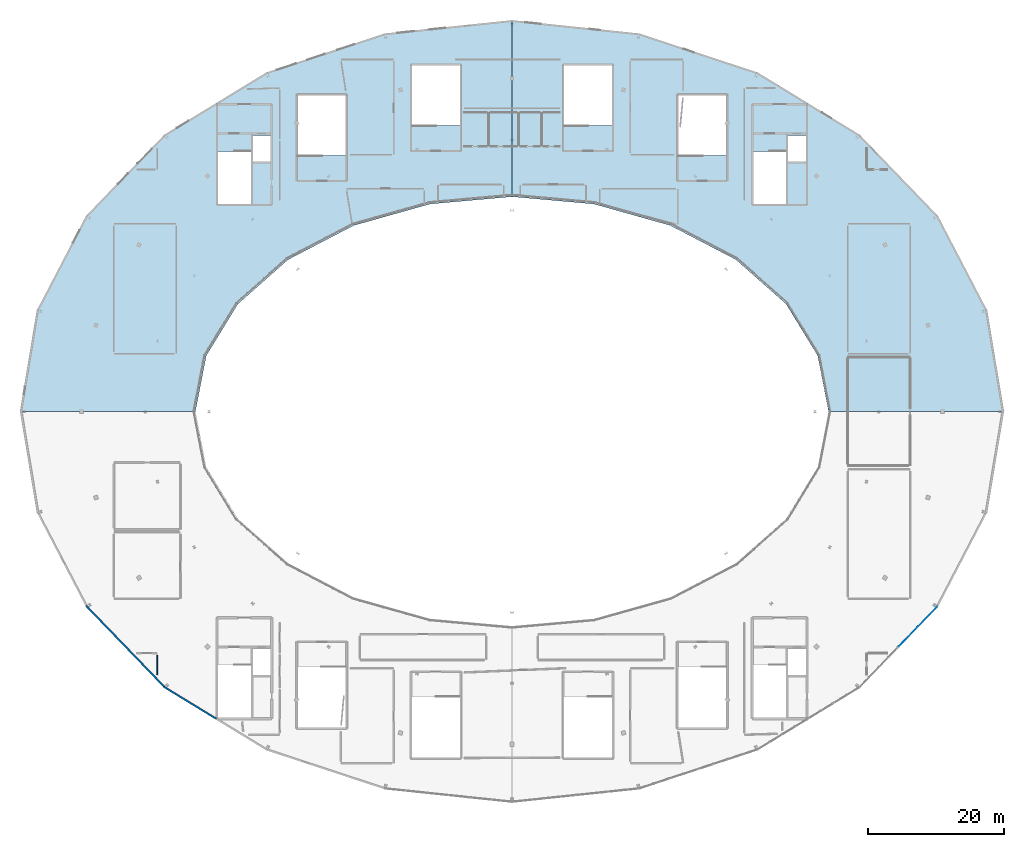
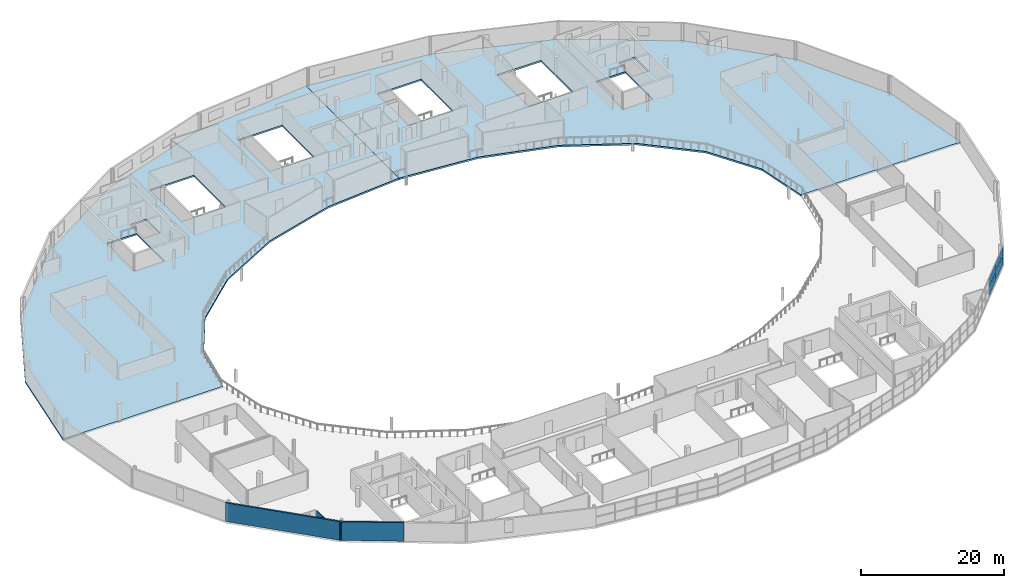
# One storey, part 24 of 35: 4 plates, 3 walls, 2 slabs, 2 elements without a shape of their own.
"""IFC4 building model written with IfcOpenShell, lengths in metres."""

import ifcopenshell
import ifcopenshell.guid

model = None  # the IFC model being written
_history = None  # IfcOwnerHistory: only IFC2X3 demands one
_inside = {}  # id of a spatial element -> (the spatial element, [elements in it])
_under = {}  # id of a project, library or spatial element -> (it, [spatial elements below it])
_declared = {}  # id of a project -> (the project, [libraries it declares])
_typed = {}  # id of a type object -> (the type object, [elements of that type])
_made_of = {}  # id of a material, layer set ... -> (it, [elements and type objects made of it])


def new_model(schema):
    """Start an empty IFC model of exactly this schema.

    Asked for "IFC4X3", IfcOpenShell would pick the latest addendum, in which some entities
    have other attributes; the version numbers below select the first issue.
    IFC2X3 requires an IfcOwnerHistory on every rooted entity: one is made here for all.
    """
    global model, _history
    if schema == "IFC4X3":
        model = ifcopenshell.file(schema_version=(4, 3, 0, 0))
    else:
        model = ifcopenshell.file(schema=schema)
    _inside.clear()
    _under.clear()
    _declared.clear()
    _typed.clear()
    _made_of.clear()
    _history = None
    if model.schema == "IFC2X3":
        org = make("IfcOrganization", Name="unknown")
        user = make(
            "IfcPersonAndOrganization",
            ThePerson=make("IfcPerson", FamilyName="unknown"),
            TheOrganization=org,
        )
        app = make(
            "IfcApplication",
            ApplicationDeveloper=org,
            Version="unknown",
            ApplicationFullName="unknown",
            ApplicationIdentifier="unknown",
        )
        _history = make(
            "IfcOwnerHistory",
            OwningUser=user,
            OwningApplication=app,
            ChangeAction="ADDED",
            CreationDate=0,
        )
    return model


def make(cls, **values):
    """One entity of the class cls with the attributes given. An attribute that is None is left unset."""
    return model.create_entity(
        cls, **{name: value for name, value in values.items() if value is not None}
    )


def rooted(cls, **values):
    """An entity with a GlobalId (a new one), such as an element, a storey or a relation."""
    return make(cls, GlobalId=ifcopenshell.guid.new(), OwnerHistory=_history, **values)


def si_unit(unit_type, name, prefix=None):
    """IfcSIUnit, for example si_unit("LENGTHUNIT", "METRE", prefix="MILLI")."""
    return make("IfcSIUnit", UnitType=unit_type, Prefix=prefix, Name=name)


def assignment(units):
    """IfcUnitAssignment: the units of a project."""
    return None if units is None else make("IfcUnitAssignment", Units=units)


def point(xyz):
    """IfcCartesianPoint."""
    return None if xyz is None else make("IfcCartesianPoint", Coordinates=xyz)


def direction(xyz):
    """IfcDirection."""
    return None if xyz is None else make("IfcDirection", DirectionRatios=xyz)


def frame(location, z_axis=None, x_axis=None):
    """IfcAxis2Placement3D, a coordinate frame: its origin and axes. An axis left out is left unset."""
    return make(
        "IfcAxis2Placement3D",
        Location=point(location),
        Axis=direction(z_axis),
        RefDirection=direction(x_axis),
    )


def frame_2d(location, x_axis=None):
    """IfcAxis2Placement2D, a coordinate frame in the plane: its origin and x axis."""
    return make(
        "IfcAxis2Placement2D", Location=point(location), RefDirection=direction(x_axis)
    )


def origin():
    """The frame at (0, 0, 0) with its axes left unset."""
    return frame((0.0, 0.0, 0.0))


def origin_2d():
    """The frame at (0, 0) in the plane with its x axis left unset."""
    return frame_2d((0.0, 0.0))


def place(relative_to, where):
    """IfcLocalPlacement: puts the frame where relative to a parent placement (None: the world)."""
    return make(
        "IfcLocalPlacement", PlacementRelTo=relative_to, RelativePlacement=where
    )


def context(
    kind, dimensions, precision=None, world=None, true_north=None, identifier=None
):
    """IfcGeometricRepresentationContext, for example the 3D "Model" context."""
    return make(
        "IfcGeometricRepresentationContext",
        ContextIdentifier=identifier,
        ContextType=kind,
        CoordinateSpaceDimension=dimensions,
        Precision=precision,
        WorldCoordinateSystem=world,
        TrueNorth=true_north,
    )


def subcontext(parent, identifier, kind, view, scale=None):
    """IfcGeometricRepresentationSubContext, for example "Body" below "Model"."""
    return make(
        "IfcGeometricRepresentationSubContext",
        ContextIdentifier=identifier,
        ContextType=kind,
        ParentContext=parent,
        TargetScale=scale,
        TargetView=view,
    )


def project(units=None, contexts=None):
    """IfcProject with its units and contexts."""
    return rooted(
        "IfcProject",
        Name="project",
        RepresentationContexts=contexts,
        UnitsInContext=assignment(units),
    )


def spatial(cls, under=None, at=None, **own):
    """A site, building, storey or space (cls), placed at a placement, below another one or the project."""
    s = rooted(cls, ObjectPlacement=at, **own)
    if under is not None:
        _under.setdefault(under.id(), (under, []))[1].append(s)
    return s


def polyline(points):
    """IfcPolyline through the points."""
    return make("IfcPolyline", Points=[point(p) for p in points])


def profile(cls, at=None, kind="AREA", **sizes):
    """A parametric profile (cls). Its sizes go by their IFC names, for example OverallWidth=200.0."""
    return make(cls, ProfileType=kind, Position=at, **sizes)


def rectangle(**sizes):
    """IfcRectangleProfileDef."""
    return profile("IfcRectangleProfileDef", **sizes)


def outline(outer, holes=None, kind="AREA"):
    """IfcArbitraryClosedProfileDef: a profile drawn as a closed curve; with holes, ...WithVoids."""
    if holes is None:
        return make("IfcArbitraryClosedProfileDef", ProfileType=kind, OuterCurve=outer)
    return make(
        "IfcArbitraryProfileDefWithVoids",
        ProfileType=kind,
        OuterCurve=outer,
        InnerCurves=holes,
    )


def extrude(swept, where, along, depth):
    """IfcExtrudedAreaSolid: the profile swept, set in the frame where, extruded along a direction by depth."""
    return make(
        "IfcExtrudedAreaSolid",
        SweptArea=swept,
        Position=where,
        ExtrudedDirection=direction(along),
        Depth=depth,
    )


def shape(context_of_items, identifier, shape_type, items):
    """IfcShapeRepresentation: the items that make up one representation, for example the "Body"."""
    return make(
        "IfcShapeRepresentation",
        ContextOfItems=context_of_items,
        RepresentationIdentifier=identifier,
        RepresentationType=shape_type,
        Items=items,
    )


def material(Name=None, Category=None):
    """IfcMaterial."""
    return make("IfcMaterial", Name=Name, Category=Category)


def layer(
    of_material, thickness, ventilated=None, Name=None, Category=None, Priority=None
):
    """IfcMaterialLayer: one layer of a wall or slab, of a material (None: an air gap)."""
    return make(
        "IfcMaterialLayer",
        Material=of_material,
        LayerThickness=thickness,
        IsVentilated=ventilated,
        Name=Name,
        Category=Category,
        Priority=Priority,
    )


def layer_set(layers, Name=None):
    """IfcMaterialLayerSet."""
    return make("IfcMaterialLayerSet", MaterialLayers=layers, LayerSetName=Name)


def made_of(thing, what):
    """Note that an element or type object is made of a material, layer set ...; save() writes the relation."""
    if what is not None:
        _made_of.setdefault(what.id(), (what, []))[1].append(thing)
    return thing


def type_object(cls, material=None, **own):
    """A type object (cls), such as IfcWallType, which elements share."""
    return made_of(rooted(cls, **own), material)


def element(
    cls,
    number,
    at=None,
    inside=None,
    cuts=None,
    type_object=None,
    material=None,
    context=None,
    identifier="Body",
    shape_type=None,
    held_by="IfcProductDefinitionShape",
    body=None,
    shapes=None,
    **own,
):
    """One element of the class cls, such as IfcWall. Its Tag is "e" and its number.

    at: its placement. inside: the storey or other place that contains it. cuts: it is an
    opening in that element (IfcRelVoidsElement). A single representation is given by context,
    identifier, shape_type and body (its items); several are given by shapes. held_by: the class
    of the entity that holds the representations. save() writes the other relations.
    """
    e = rooted(cls, Tag="e%d" % number, ObjectPlacement=at, **own)
    if body is not None:
        shapes = [shape(context, identifier, shape_type, body)]
    if shapes is not None:
        e.Representation = make(held_by, Representations=shapes)
    if inside is not None:
        _inside.setdefault(inside.id(), (inside, []))[1].append(e)
    if cuts is not None:
        rooted(
            "IfcRelVoidsElement", RelatingBuildingElement=cuts, RelatedOpeningElement=e
        )
    if type_object is not None:
        _typed.setdefault(type_object.id(), (type_object, []))[1].append(e)
    return made_of(e, material)


def aggregate(whole, parts):
    """IfcRelAggregates: a whole, such as a stair, and the parts it consists of."""
    return rooted("IfcRelAggregates", RelatingObject=whole, RelatedObjects=parts)


def save(model, path):
    """Write the relations noted so far, then the file.

    IfcRelAggregates (storeys below a building ...), IfcRelContainedInSpatialStructure (elements
    in a storey), IfcRelDefinesByType, IfcRelAssociatesMaterial and IfcRelDeclares: one each for
    every whole, place, type object, material and project.
    """
    for whole, parts in _under.values():
        aggregate(whole, parts)
    for where, things in _inside.values():
        rooted(
            "IfcRelContainedInSpatialStructure",
            RelatedElements=things,
            RelatingStructure=where,
        )
    for kind, things in _typed.values():
        rooted("IfcRelDefinesByType", RelatedObjects=things, RelatingType=kind)
    for what, things in _made_of.values():
        rooted("IfcRelAssociatesMaterial", RelatedObjects=things, RelatingMaterial=what)
    for by, libraries in _declared.values():
        rooted("IfcRelDeclares", RelatingContext=by, RelatedDefinitions=libraries)
    model.write(path)


model = new_model("IFC4")

# Units and contexts
model_context = context("Model", 3, precision=1e-05, world=origin(), true_north=direction((0.0, 1.0)))
body_context = subcontext(model_context, "Body", "Model", "MODEL_VIEW")
ifc_project = project(units=[si_unit("LENGTHUNIT", "METRE"), si_unit("AREAUNIT", "SQUARE_METRE"), si_unit("VOLUMEUNIT", "CUBIC_METRE"), si_unit("PLANEANGLEUNIT", "RADIAN"), si_unit("MASSUNIT", "GRAM", prefix="KILO")], contexts=[model_context])

# Site, building, storey
site_placement = place(None, origin())
site = spatial("IfcSite", under=ifc_project, at=site_placement, CompositionType="ELEMENT")
building_placement = place(site_placement, origin())
building = spatial("IfcBuilding", under=site, at=building_placement, Name="Kalgoora Escarpment Arena", CompositionType="ELEMENT")
storey_placement = place(building_placement, frame((0.0, 0.0, 23.39990234375)))
storey = spatial("IfcBuildingStorey", under=building, at=storey_placement, Name="L05", CompositionType="ELEMENT", Elevation=23.39990234375)

# Curtain wall, plates
ifc_material_1 = material(Name=" Champagne anodised aluminium & double-glazed low-E", Category="aluminium")
ifc_layer_1 = layer(ifc_material_1, 0.166015625)
ifc_layer_set_1 = layer_set([ifc_layer_1], Name="CW-UNIT-19")
curtain_wall_type_1 = type_object("IfcCurtainWallType", Name="CW-UNIT-19", PredefinedType="NOTDEFINED", material=ifc_layer_set_1)
curtain_wall_1_placement = place(storey_placement, origin())
curtain_wall_1 = element("IfcCurtainWall", 1, at=curtain_wall_1_placement, inside=storey, type_object=curtain_wall_type_1, Name="L05 unitised facade curtain wall 178", PredefinedType="NOTDEFINED")
ifc_material_2 = material(Name="Low-E double-glazed insulated glass", Category="glass")
ifc_layer_2 = layer(ifc_material_2, 0.028076171875)
ifc_layer_set_2 = layer_set([ifc_layer_2], Name="PLT-CW-GLAZ-28")
plate_type_1 = type_object("IfcPlateType", Name="PLT-CW-GLAZ-28", PredefinedType="CURTAIN_PANEL", material=ifc_layer_set_2)
plate_1_placement = place(storey_placement, frame((153.593017578125, 33.81005859375, 0.0751953125), z_axis=(0.0, 0.0, 1.0), x_axis=(-0.69420247723, -0.719779772297, 0.0)))
plate_1 = element("IfcPlate", 2, at=plate_1_placement, type_object=plate_type_1, Name="CW-19 panel 1.1", PredefinedType="CURTAIN_PANEL", context=body_context, shape_type="SweptSolid", body=[
    extrude(rectangle(XDim=3.973388671875, YDim=0.028076171875, at=origin_2d()), origin(), (0.0, 0.0, 1.0), 1.487548828125),
])
plate_2_placement = place(storey_placement, frame((153.593017578125, 33.81005859375, 1.61767578125), z_axis=(0.0, 0.0, 1.0), x_axis=(-0.69420247723, -0.719779772297, 0.0)))
plate_2 = element("IfcPlate", 3, at=plate_2_placement, type_object=plate_type_1, Name="CW-19 panel 1.2", PredefinedType="CURTAIN_PANEL", context=body_context, shape_type="SweptSolid", body=[
    extrude(rectangle(XDim=3.973388671875, YDim=0.028076171875, at=origin_2d()), origin(), (0.0, 0.0, 1.0), 1.467529296875),
])
aggregate(curtain_wall_1, [plate_1, plate_2])

ifc_material_3 = material(Name=" Champagne anodised aluminium & double-glazed low-E", Category="aluminium")
ifc_layer_3 = layer(ifc_material_3, 0.14990234375)
ifc_layer_set_3 = layer_set([ifc_layer_3], Name="CW-UNIT-20")
curtain_wall_type_2 = type_object("IfcCurtainWallType", Name="CW-UNIT-20", PredefinedType="NOTDEFINED", material=ifc_layer_set_3)
curtain_wall_2_placement = place(storey_placement, origin())
curtain_wall_2 = element("IfcCurtainWall", 4, at=curtain_wall_2_placement, inside=storey, type_object=curtain_wall_type_2, Name="L05 unitised facade curtain wall 179", PredefinedType="NOTDEFINED")
ifc_material_4 = material(Name="Acoustic laminated solar-control glass", Category="glass")
ifc_layer_4 = layer(ifc_material_4, 0.033935546875)
ifc_layer_set_4 = layer_set([ifc_layer_4], Name="PLT-CW-GLAZ-34")
plate_type_2 = type_object("IfcPlateType", Name="PLT-CW-GLAZ-34", PredefinedType="CURTAIN_PANEL", material=ifc_layer_set_4)
plate_3_placement = place(storey_placement, frame((150.69921875, 30.809814453125, 0.0751953125), z_axis=(0.0, 0.0, 1.0), x_axis=(-0.694205135116, -0.719777208849, 0.0)))
plate_3 = element("IfcPlate", 5, at=plate_3_placement, type_object=plate_type_2, Name="CW-20 panel 1.1", PredefinedType="CURTAIN_PANEL", context=body_context, shape_type="SweptSolid", body=[
    extrude(rectangle(XDim=3.923583984375, YDim=0.033935546875, at=origin_2d()), origin(), (0.0, 0.0, 1.0), 1.487548828125),
])
plate_4_placement = place(storey_placement, frame((150.69921875, 30.809814453125, 1.61767578125), z_axis=(0.0, 0.0, 1.0), x_axis=(-0.694205135116, -0.719777208849, 0.0)))
plate_4 = element("IfcPlate", 6, at=plate_4_placement, type_object=plate_type_2, Name="CW-20 panel 1.2", PredefinedType="CURTAIN_PANEL", context=body_context, shape_type="SweptSolid", body=[
    extrude(rectangle(XDim=3.923583984375, YDim=0.033935546875, at=origin_2d()), origin(), (0.0, 0.0, 1.0), 1.467529296875),
])
aggregate(curtain_wall_2, [plate_3, plate_4])

# Slabs
ifc_material_5 = material(Name="Concrete N40 (fc' 40 MPa)", Category="concrete")
ifc_layer_5 = layer(ifc_material_5, 0.280029296875)
ifc_layer_set_5 = layer_set([ifc_layer_5], Name="SLB-CONC-280")
slab_type_1 = type_object("IfcSlabType", Name="SLB-CONC-280", PredefinedType="FLOOR", material=ifc_layer_set_5)
slab_1_placement = place(storey_placement, frame((0.0, 0.0, -0.27978515625)))
element("IfcSlab", 7, at=slab_1_placement, inside=storey, type_object=slab_type_1, Name="L05 concourse ring NW floor slab", PredefinedType="FLOOR", context=body_context, shape_type="SweptSolid", body=[
    extrude(outline(polyline([(22.467041015625, 78.907958984375), (29.69970703125, 92.800048828125), (41.20556640625, 104.7294921875), (56.199951171875, 113.883056640625), (73.66162109375, 119.63720703125), (92.39990234375, 121.60009765625), (92.39990234375, 95.60009765625), (80.339111328125, 94.523193359375), (69.10009765625, 91.366455078125), (59.44873046875, 86.344482421875), (52.043212890625, 79.800048828125), (47.387939453125, 72.1787109375), (45.800048828125, 64.0), (20.0, 64.0), (22.467041015625, 78.907958984375)]), holes=[polyline([(49.14990234375, 102.25), (49.14990234375, 94.550048828125), (53.949951171875, 94.550048828125), (53.949951171875, 102.25), (49.14990234375, 102.25)]), polyline([(54.25, 104.60009765625), (54.25, 100.800048828125), (56.85009765625, 100.800048828125), (56.85009765625, 104.60009765625), (54.25, 104.60009765625)]), polyline([(60.85009765625, 110.550048828125), (60.85009765625, 101.64990234375), (67.949951171875, 101.64990234375), (67.949951171875, 110.550048828125), (60.85009765625, 110.550048828125)]), polyline([(77.64990234375, 114.949951171875), (77.64990234375, 106.050048828125), (84.75, 106.050048828125), (84.75, 114.949951171875), (77.64990234375, 114.949951171875)])]), origin(), (0.0, 0.0, 1.0), 0.27978515625),
])
ifc_material_6 = material(Name="Concrete N40 (fc' 40 MPa)", Category="concrete")
ifc_layer_6 = layer(ifc_material_6, 0.2900390625)
ifc_layer_set_6 = layer_set([ifc_layer_6], Name="SLB-MEDIA-290")
slab_type_2 = type_object("IfcSlabType", Name="SLB-MEDIA-290", PredefinedType="FLOOR", material=ifc_layer_set_6)
slab_2_placement = place(storey_placement, frame((0.0, 0.0, -0.289794921875)))
element("IfcSlab", 8, at=slab_2_placement, inside=storey, type_object=slab_type_2, Name="L05 concourse ring NE floor slab", PredefinedType="FLOOR", context=body_context, shape_type="SweptSolid", body=[
    extrude(outline(polyline([(111.138427734375, 119.63720703125), (128.60009765625, 113.883056640625), (143.594482421875, 104.7294921875), (155.10009765625, 92.800048828125), (162.3330078125, 78.907958984375), (164.800048828125, 64.0), (139.0, 64.0), (137.412109375, 72.1787109375), (132.7568359375, 79.800048828125), (125.351318359375, 86.344482421875), (115.699951171875, 91.366455078125), (104.4609375, 94.523193359375), (92.39990234375, 95.60009765625), (92.39990234375, 121.60009765625), (111.138427734375, 119.63720703125)]), holes=[polyline([(127.949951171875, 102.25), (127.949951171875, 94.550048828125), (132.75, 94.550048828125), (132.75, 102.25), (127.949951171875, 102.25)]), polyline([(133.050048828125, 104.60009765625), (133.050048828125, 100.800048828125), (135.64990234375, 100.800048828125), (135.64990234375, 104.60009765625), (133.050048828125, 104.60009765625)]), polyline([(116.85009765625, 110.550048828125), (116.85009765625, 101.64990234375), (123.949951171875, 101.64990234375), (123.949951171875, 110.550048828125), (116.85009765625, 110.550048828125)]), polyline([(100.050048828125, 114.949951171875), (100.050048828125, 106.050048828125), (107.14990234375, 106.050048828125), (107.14990234375, 114.949951171875), (100.050048828125, 114.949951171875)])]), origin(), (0.0, 0.0, 1.0), 0.289794921875),
])

# Walls
ifc_material_7 = material(Name="Media ring insulated acoustic facade wall 40 MPa", Category="concrete")
ifc_layer_7 = layer(ifc_material_7, 0.264892578125)
ifc_layer_set_7 = layer_set([ifc_layer_7], Name="WAL-EXT-265")
wall_type_1 = type_object("IfcWallType", Name="WAL-EXT-265", PredefinedType="SOLIDWALL", material=ifc_layer_set_7)
wall_1_placement = place(storey_placement, frame((48.868896484375, 18.74755859375, 0.0), z_axis=(0.0, 0.0, 1.0), x_axis=(-0.853521769318, 0.52105718429, 0.0)))
element("IfcWall", 9, at=wall_1_placement, inside=storey, type_object=wall_type_1, Name="L05 limestone-faced external wall 085", PredefinedType="SOLIDWALL", context=body_context, shape_type="SweptSolid", body=[
    extrude(rectangle(XDim=9.051513671875, YDim=0.264892578125, at=frame_2d((4.52587890625, 0.0))), origin(), (0.0, 0.0, 1.0), 3.18017578125),
])
wall_2_placement = place(storey_placement, frame((41.40771484375, 23.251953125, 0.0), z_axis=(0.0, 0.0, 1.0), x_axis=(-0.694213985366, 0.719768672924, 0.0)))
element("IfcWall", 10, at=wall_2_placement, inside=storey, type_object=wall_type_1, Name="L05 limestone-faced external wall 086", PredefinedType="SOLIDWALL", context=body_context, shape_type="SweptSolid", body=[
    extrude(rectangle(XDim=16.88134765625, YDim=0.264892578125, at=frame_2d((8.440673828125, 0.0))), origin(), (0.0, 0.0, 1.0), 3.18017578125),
])
ifc_material_8 = material(Name="Broadcast acoustic double-stud partition", Category="gypsum")
ifc_layer_8 = layer(ifc_material_8, 0.1650390625)
ifc_layer_set_8 = layer_set([ifc_layer_8], Name="WAL-MED-165")
wall_type_2 = type_object("IfcWallType", Name="WAL-MED-165", PredefinedType="PARTITIONING", material=ifc_layer_set_8)
wall_3_placement = place(storey_placement, frame((40.199951171875, 28.115234375, 0.0), z_axis=(0.0, 0.0, 1.0), x_axis=(0.0, -1.0, 0.0)))
element("IfcWall", 11, at=wall_3_placement, inside=storey, type_object=wall_type_2, Name="L05 South West Security Control partition wall", PredefinedType="PARTITIONING", context=body_context, shape_type="SweptSolid", body=[
    extrude(rectangle(XDim=2.8828125, YDim=0.1650390625, at=frame_2d((1.44140625, 0.0))), origin(), (0.0, 0.0, 1.0), 2.5),
])

save(model, "model.ifc")
